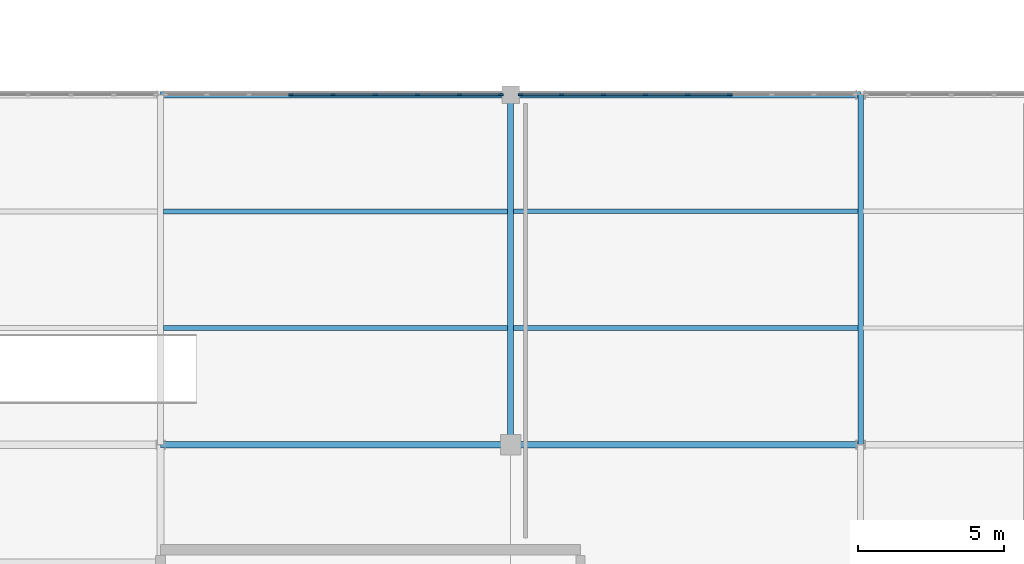
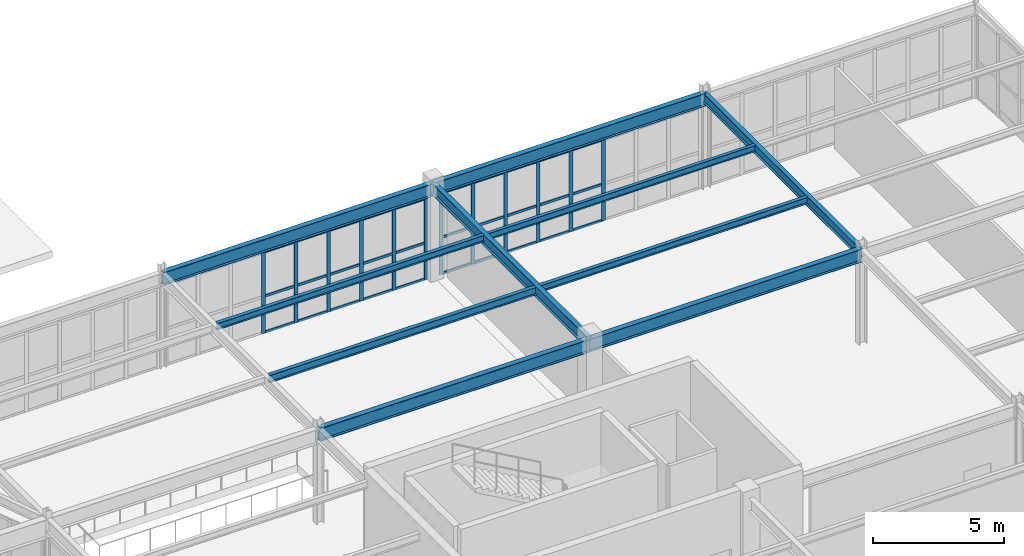
# One storey, part 116 of 226: 42 members, 10 beams, 2 elements without a shape of their own.
"""IFC4 building model written with IfcOpenShell, lengths in metres."""

from ifc_helpers import new_model, si_unit, direction, frame, origin, origin_2d, place, context, subcontext, project, spatial, rectangle, i_section, extrude, material, layer, layer_set, material_profile, profile_set, type_object, element, aggregate, save


model = new_model("IFC4")

# Units and contexts
model_context = context("Model", 3, precision=1e-05, world=origin(), true_north=direction((0.0, 1.0)))
body_context = subcontext(model_context, "Body", "Model", "MODEL_VIEW")
ifc_project = project(units=[si_unit("LENGTHUNIT", "METRE"), si_unit("AREAUNIT", "SQUARE_METRE"), si_unit("VOLUMEUNIT", "CUBIC_METRE"), si_unit("PLANEANGLEUNIT", "RADIAN"), si_unit("MASSUNIT", "GRAM", prefix="KILO")], contexts=[model_context])

# Site, building, storey
site_placement = place(None, origin())
site = spatial("IfcSite", under=ifc_project, at=site_placement, CompositionType="ELEMENT")
building_placement = place(site_placement, origin())
building = spatial("IfcBuilding", under=site, at=building_placement, Name="Tarnwether General Hospital", CompositionType="ELEMENT")
storey_placement = place(building_placement, frame((0.0, 0.0, 4.800048828125)))
storey = spatial("IfcBuildingStorey", under=building, at=storey_placement, Name="L01", CompositionType="ELEMENT", Elevation=4.800048828125)

# Beams
ifc_material_1 = material(Name="Steel Grade 350 (350 MPa)", Category="steel")
ifc_material_profile_1 = material_profile(ifc_material_1, i_section(OverallWidth=0.22900390625, OverallDepth=0.612060546875, WebThickness=0.011962890625, FlangeThickness=0.01953125, at=origin_2d()), Name="610UB125")
ifc_profile_set_1 = profile_set([ifc_material_profile_1], Name="Steel Grade 350 (350 MPa)")
beam_type_1 = type_object("IfcBeamType", Name="BM-G03", PredefinedType="BEAM", material=ifc_profile_set_1)
beam_1_placement = place(storey_placement, frame((156.0, 33.60009765625, 4.138916015625), z_axis=(1.0, 0.0, 0.0), x_axis=(0.0, 1.0, 0.0)))
element("IfcBeam", 1, at=beam_1_placement, inside=storey, type_object=beam_type_1, Name="Primary Girder BMG-L01-15600_3360-16800_3360-1237", PredefinedType="BEAM", context=body_context, shape_type="SweptSolid", body=[
    extrude(i_section(OverallWidth=0.22900390625, OverallDepth=0.612060546875, WebThickness=0.011962890625, FlangeThickness=0.01953125, at=origin_2d()), origin(), (0.0, 0.0, 1.0), 12.0),
])
ifc_material_2 = material(Name="Steel Grade 350 (350 MPa)", Category="steel")
ifc_material_profile_2 = material_profile(ifc_material_2, i_section(OverallWidth=0.22802734375, OverallDepth=0.60693359375, WebThickness=0.01123046875, FlangeThickness=0.017333984375, at=origin_2d()), Name="610UB113")
ifc_profile_set_2 = profile_set([ifc_material_profile_2], Name="Steel Grade 350 (350 MPa)")
beam_type_2 = type_object("IfcBeamType", Name="BM-G04", PredefinedType="BEAM", material=ifc_profile_set_2)
for number, where, z_axis, x_axis, name in (
    (2, (156.0, 45.60009765625, 4.141357421875), (1.0, 0.0, 0.0), (0.0, 1.0, 0.0), "Primary Girder BMG-L01-15600_4560-16800_4560-1239"),
    (3, (168.0, 33.60009765625, 4.141357421875), (1.0, 0.0, 0.0), (0.0, 1.0, 0.0), "Primary Girder BMG-L01-16800_3360-18000_3360-1254"),
):
    element("IfcBeam", number, at=place(storey_placement, frame(where, z_axis=z_axis, x_axis=x_axis)), inside=storey, type_object=beam_type_2, Name=name, PredefinedType="BEAM", context=body_context, shape_type="SweptSolid", body=[
        extrude(i_section(OverallWidth=0.22802734375, OverallDepth=0.60693359375, WebThickness=0.01123046875, FlangeThickness=0.017333984375, at=origin_2d()), origin(), (0.0, 0.0, 1.0), 12.0),
    ])
ifc_material_3 = material(Name="Steel Grade 350 (350 MPa)", Category="steel")
ifc_material_profile_3 = material_profile(ifc_material_3, i_section(OverallWidth=0.22802734375, OverallDepth=0.60205078125, WebThickness=0.010498046875, FlangeThickness=0.014892578125, at=origin_2d()), Name="610UB101")
ifc_profile_set_3 = profile_set([ifc_material_profile_3], Name="Steel Grade 350 (350 MPa)")
beam_type_3 = type_object("IfcBeamType", Name="BM-G05", PredefinedType="BEAM", material=ifc_profile_set_3)
beam_2_placement = place(storey_placement, frame((168.0, 45.60009765625, 4.14404296875), z_axis=(1.0, 0.0, 0.0), x_axis=(0.0, 1.0, 0.0)))
element("IfcBeam", 4, at=beam_2_placement, inside=storey, type_object=beam_type_3, Name="Primary Girder BMG-L01-16800_4560-18000_4560-1256", PredefinedType="BEAM", context=body_context, shape_type="SweptSolid", body=[
    extrude(i_section(OverallWidth=0.22802734375, OverallDepth=0.60205078125, WebThickness=0.010498046875, FlangeThickness=0.014892578125, at=origin_2d()), origin(), (0.0, 0.0, 1.0), 12.0),
])
ifc_material_4 = material(Name="Steel Grade 350 (350 MPa)", Category="steel")
ifc_material_profile_4 = material_profile(ifc_material_4, i_section(OverallWidth=0.208984375, OverallDepth=0.528076171875, WebThickness=0.009521484375, FlangeThickness=0.01318359375, at=origin_2d()), Name="530UB82.0")
ifc_profile_set_4 = profile_set([ifc_material_profile_4], Name="Steel Grade 350 (350 MPa)")
beam_type_4 = type_object("IfcBeamType", Name="BM-G07", PredefinedType="BEAM", material=ifc_profile_set_4)
beam_3_placement = place(storey_placement, frame((168.0, 33.60009765625, 4.180908203125), z_axis=(0.0, 1.0, 0.0), x_axis=(-1.0, 0.0, 0.0)))
element("IfcBeam", 5, at=beam_3_placement, inside=storey, type_object=beam_type_4, Name="Primary Girder BMG-L01-16800_3360-16800_4560-1255", PredefinedType="BEAM", context=body_context, shape_type="SweptSolid", body=[
    extrude(i_section(OverallWidth=0.208984375, OverallDepth=0.528076171875, WebThickness=0.009521484375, FlangeThickness=0.01318359375, at=origin_2d()), origin(), (0.0, 0.0, 1.0), 12.0),
])
ifc_material_5 = material(Name="Steel Grade 350 (350 MPa)", Category="steel")
ifc_material_profile_5 = material_profile(ifc_material_5, i_section(OverallWidth=0.19091796875, OverallDepth=0.4599609375, WebThickness=0.010009765625, FlangeThickness=0.01611328125, at=origin_2d()), Name="460UB82.1")
ifc_profile_set_5 = profile_set([ifc_material_profile_5], Name="Steel Grade 350 (350 MPa)")
beam_type_5 = type_object("IfcBeamType", Name="BM-G08", PredefinedType="BEAM", material=ifc_profile_set_5)
beam_4_placement = place(storey_placement, frame((180.0, 33.60009765625, 4.21484375), z_axis=(0.0, 1.0, 0.0), x_axis=(-1.0, 0.0, 0.0)))
element("IfcBeam", 6, at=beam_4_placement, inside=storey, type_object=beam_type_5, Name="Primary Girder BMG-L01-18000_3360-18000_4560-1272", PredefinedType="BEAM", context=body_context, shape_type="SweptSolid", body=[
    extrude(i_section(OverallWidth=0.19091796875, OverallDepth=0.4599609375, WebThickness=0.010009765625, FlangeThickness=0.01611328125, at=origin_2d()), origin(), (0.0, 0.0, 1.0), 12.0),
])
ifc_material_6 = material(Name="Steel Grade 350 (350 MPa)", Category="steel")
ifc_material_profile_6 = material_profile(ifc_material_6, i_section(OverallWidth=0.1708984375, OverallDepth=0.35205078125, WebThickness=0.0068359375, FlangeThickness=0.009765625, at=origin_2d()), Name="360UB44.7")
ifc_profile_set_6 = profile_set([ifc_material_profile_6], Name="Steel Grade 350 (350 MPa)")
beam_type_6 = type_object("IfcBeamType", Name="BM-J06", PredefinedType="JOIST", material=ifc_profile_set_6)
beam_5_placement = place(storey_placement, frame((156.09912109375, 37.60009765625, 4.26904296875), z_axis=(1.0, 0.0, 0.0), x_axis=(0.0, 1.0, 0.0)))
element("IfcBeam", 7, at=beam_5_placement, inside=storey, type_object=beam_type_6, Name="Composite Floor Joist BMG-L01-15610_3760-16790_3760-1405", PredefinedType="JOIST", context=body_context, shape_type="SweptSolid", body=[
    extrude(i_section(OverallWidth=0.1708984375, OverallDepth=0.35205078125, WebThickness=0.0068359375, FlangeThickness=0.009765625, at=origin_2d()), origin(), (0.0, 0.0, 1.0), 11.8017578125),
])
ifc_material_7 = material(Name="Steel Grade 350 (350 MPa)", Category="steel")
ifc_material_profile_7 = material_profile(ifc_material_7, i_section(OverallWidth=0.1650390625, OverallDepth=0.303955078125, WebThickness=0.006103515625, FlangeThickness=0.01025390625, at=origin_2d()), Name="310UB40.4")
ifc_profile_set_7 = profile_set([ifc_material_profile_7], Name="Steel Grade 350 (350 MPa)")
beam_type_7 = type_object("IfcBeamType", Name="BM-J07", PredefinedType="JOIST", material=ifc_profile_set_7)
beam_6_placement = place(storey_placement, frame((156.09912109375, 41.60009765625, 4.29296875), z_axis=(1.0, 0.0, 0.0), x_axis=(0.0, 1.0, 0.0)))
element("IfcBeam", 8, at=beam_6_placement, inside=storey, type_object=beam_type_7, Name="Composite Floor Joist BMG-L01-15610_4160-16790_4160-1406", PredefinedType="JOIST", context=body_context, shape_type="SweptSolid", body=[
    extrude(i_section(OverallWidth=0.1650390625, OverallDepth=0.303955078125, WebThickness=0.006103515625, FlangeThickness=0.01025390625, at=origin_2d()), origin(), (0.0, 0.0, 1.0), 11.8017578125),
])
beam_7_placement = place(storey_placement, frame((168.09912109375, 37.60009765625, 4.29296875), z_axis=(1.0, 0.0, 0.0), x_axis=(0.0, 1.0, 0.0)))
element("IfcBeam", 9, at=beam_7_placement, inside=storey, type_object=beam_type_7, Name="Composite Floor Joist BMG-L01-16810_3760-17991_3760-1417", PredefinedType="JOIST", context=body_context, shape_type="SweptSolid", body=[
    extrude(i_section(OverallWidth=0.1650390625, OverallDepth=0.303955078125, WebThickness=0.006103515625, FlangeThickness=0.01025390625, at=origin_2d()), origin(), (0.0, 0.0, 1.0), 11.811767578125),
])
ifc_material_8 = material(Name="Steel Grade 350 (350 MPa)", Category="steel")
ifc_material_profile_8 = material_profile(ifc_material_8, i_section(OverallWidth=0.14892578125, OverallDepth=0.298095703125, WebThickness=0.005615234375, FlangeThickness=0.008056640625, at=origin_2d()), Name="310UB32.0")
ifc_profile_set_8 = profile_set([ifc_material_profile_8], Name="Steel Grade 350 (350 MPa)")
beam_type_8 = type_object("IfcBeamType", Name="BM-J08", PredefinedType="JOIST", material=ifc_profile_set_8)
beam_8_placement = place(storey_placement, frame((168.09912109375, 41.60009765625, 4.2958984375), z_axis=(1.0, 0.0, 0.0), x_axis=(0.0, 1.0, 0.0)))
element("IfcBeam", 10, at=beam_8_placement, inside=storey, type_object=beam_type_8, Name="Composite Floor Joist BMG-L01-16810_4160-17991_4160-1418", PredefinedType="JOIST", context=body_context, shape_type="SweptSolid", body=[
    extrude(i_section(OverallWidth=0.14892578125, OverallDepth=0.298095703125, WebThickness=0.005615234375, FlangeThickness=0.008056640625, at=origin_2d()), origin(), (0.0, 0.0, 1.0), 11.811767578125),
])

# Curtain wall, members
ifc_material_9 = material(Name="Anodised aluminium", Category="aluminium")
ifc_layer = layer(ifc_material_9, 0.159912109375)
ifc_layer_set = layer_set([ifc_layer], Name="Anodised aluminium")
curtain_wall_type = type_object("IfcCurtainWallType", Name="CW-18", PredefinedType="NOTDEFINED", material=ifc_layer_set)
curtain_wall_1_placement = place(storey_placement, origin())
curtain_wall_1 = element("IfcCurtainWall", 11, at=curtain_wall_1_placement, inside=storey, type_object=curtain_wall_type, Name="Curtain Wall CWG-L01-1561_456-0380", PredefinedType="NOTDEFINED")
ifc_material_10 = material(Name="Anodised aluminium", Category="aluminium")
ifc_material_profile_9 = material_profile(ifc_material_10, rectangle(XDim=0.06005859375, YDim=0.159912109375, at=origin_2d()), Name="ALU-MUL-60x160")
ifc_profile_set_9 = profile_set([ifc_material_profile_9], Name="Anodised aluminium")
member_type_1 = type_object("IfcMemberType", Name="CW-ML1", PredefinedType="MULLION", material=ifc_profile_set_9)
member_1_placement = place(storey_placement, frame((160.470703125, 45.60009765625, 0.0), z_axis=(0.0, 0.0, 1.0), x_axis=(0.0, 1.0, 0.0)))
member_1 = element("IfcMember", 12, at=member_1_placement, type_object=member_type_1, Name="CW-18 mullion 4", PredefinedType="MULLION", context=body_context, shape_type="SweptSolid", body=[
    extrude(rectangle(XDim=0.06005859375, YDim=0.159912109375, at=origin_2d()), origin(), (0.0, 0.0, 1.0), 3.81787109375),
])
member_2_placement = place(storey_placement, frame((161.9150390625, 45.60009765625, 0.0), z_axis=(0.0, 0.0, 1.0), x_axis=(0.0, 1.0, 0.0)))
member_2 = element("IfcMember", 13, at=member_2_placement, type_object=member_type_1, Name="CW-18 mullion 5", PredefinedType="MULLION", context=body_context, shape_type="SweptSolid", body=[
    extrude(rectangle(XDim=0.06005859375, YDim=0.159912109375, at=origin_2d()), origin(), (0.0, 0.0, 1.0), 3.81787109375),
])
member_3_placement = place(storey_placement, frame((163.359130859375, 45.60009765625, 0.0), z_axis=(0.0, 0.0, 1.0), x_axis=(0.0, 1.0, 0.0)))
member_3 = element("IfcMember", 14, at=member_3_placement, type_object=member_type_1, Name="CW-18 mullion 6", PredefinedType="MULLION", context=body_context, shape_type="SweptSolid", body=[
    extrude(rectangle(XDim=0.06005859375, YDim=0.159912109375, at=origin_2d()), origin(), (0.0, 0.0, 1.0), 3.81787109375),
])
member_4_placement = place(storey_placement, frame((164.803466796875, 45.60009765625, 0.0), z_axis=(0.0, 0.0, 1.0), x_axis=(0.0, 1.0, 0.0)))
member_4 = element("IfcMember", 15, at=member_4_placement, type_object=member_type_1, Name="CW-18 mullion 7", PredefinedType="MULLION", context=body_context, shape_type="SweptSolid", body=[
    extrude(rectangle(XDim=0.06005859375, YDim=0.159912109375, at=origin_2d()), origin(), (0.0, 0.0, 1.0), 3.81787109375),
])
member_5_placement = place(storey_placement, frame((166.247802734375, 45.60009765625, 0.0), z_axis=(0.0, 0.0, 1.0), x_axis=(0.0, 1.0, 0.0)))
member_5 = element("IfcMember", 16, at=member_5_placement, type_object=member_type_1, Name="CW-18 mullion 8", PredefinedType="MULLION", context=body_context, shape_type="SweptSolid", body=[
    extrude(rectangle(XDim=0.06005859375, YDim=0.159912109375, at=origin_2d()), origin(), (0.0, 0.0, 1.0), 3.81787109375),
])
member_6_placement = place(storey_placement, frame((167.662109375, 45.60009765625, 0.0), z_axis=(0.0, 0.0, 1.0), x_axis=(0.0, 1.0, 0.0)))
member_6 = element("IfcMember", 17, at=member_6_placement, type_object=member_type_1, Name="CW-18 mullion 9", PredefinedType="MULLION", context=body_context, shape_type="SweptSolid", body=[
    extrude(rectangle(XDim=0.06005859375, YDim=0.159912109375, at=origin_2d()), origin(), (0.0, 0.0, 1.0), 3.81787109375),
])

curtain_wall_2_placement = place(storey_placement, origin())
curtain_wall_2 = element("IfcCurtainWall", 18, at=curtain_wall_2_placement, inside=storey, type_object=curtain_wall_type, Name="Curtain Wall CWG-L01-1683_456-0381", PredefinedType="NOTDEFINED")
member_7_placement = place(storey_placement, frame((168.337890625, 45.60009765625, 0.0), z_axis=(0.0, 0.0, 1.0), x_axis=(0.0, 1.0, 0.0)))
member_7 = element("IfcMember", 19, at=member_7_placement, type_object=member_type_1, Name="CW-18 mullion 1", PredefinedType="MULLION", context=body_context, shape_type="SweptSolid", body=[
    extrude(rectangle(XDim=0.06005859375, YDim=0.159912109375, at=origin_2d()), origin(), (0.0, 0.0, 1.0), 3.822998046875),
])
member_8_placement = place(storey_placement, frame((169.74853515625, 45.60009765625, 0.0), z_axis=(0.0, 0.0, 1.0), x_axis=(0.0, 1.0, 0.0)))
member_8 = element("IfcMember", 20, at=member_8_placement, type_object=member_type_1, Name="CW-18 mullion 2", PredefinedType="MULLION", context=body_context, shape_type="SweptSolid", body=[
    extrude(rectangle(XDim=0.06005859375, YDim=0.159912109375, at=origin_2d()), origin(), (0.0, 0.0, 1.0), 3.822998046875),
])
member_9_placement = place(storey_placement, frame((171.18896484375, 45.60009765625, 0.0), z_axis=(0.0, 0.0, 1.0), x_axis=(0.0, 1.0, 0.0)))
member_9 = element("IfcMember", 21, at=member_9_placement, type_object=member_type_1, Name="CW-18 mullion 3", PredefinedType="MULLION", context=body_context, shape_type="SweptSolid", body=[
    extrude(rectangle(XDim=0.06005859375, YDim=0.159912109375, at=origin_2d()), origin(), (0.0, 0.0, 1.0), 3.822998046875),
])
member_10_placement = place(storey_placement, frame((172.62939453125, 45.60009765625, 0.0), z_axis=(0.0, 0.0, 1.0), x_axis=(0.0, 1.0, 0.0)))
member_10 = element("IfcMember", 22, at=member_10_placement, type_object=member_type_1, Name="CW-18 mullion 4", PredefinedType="MULLION", context=body_context, shape_type="SweptSolid", body=[
    extrude(rectangle(XDim=0.06005859375, YDim=0.159912109375, at=origin_2d()), origin(), (0.0, 0.0, 1.0), 3.822998046875),
])
member_11_placement = place(storey_placement, frame((174.070068359375, 45.60009765625, 0.0), z_axis=(0.0, 0.0, 1.0), x_axis=(0.0, 1.0, 0.0)))
member_11 = element("IfcMember", 23, at=member_11_placement, type_object=member_type_1, Name="CW-18 mullion 5", PredefinedType="MULLION", context=body_context, shape_type="SweptSolid", body=[
    extrude(rectangle(XDim=0.06005859375, YDim=0.159912109375, at=origin_2d()), origin(), (0.0, 0.0, 1.0), 3.822998046875),
])
member_12_placement = place(storey_placement, frame((175.510498046875, 45.60009765625, 0.0), z_axis=(0.0, 0.0, 1.0), x_axis=(0.0, 1.0, 0.0)))
member_12 = element("IfcMember", 24, at=member_12_placement, type_object=member_type_1, Name="CW-18 mullion 6", PredefinedType="MULLION", context=body_context, shape_type="SweptSolid", body=[
    extrude(rectangle(XDim=0.06005859375, YDim=0.159912109375, at=origin_2d()), origin(), (0.0, 0.0, 1.0), 3.822998046875),
])

# Member
ifc_material_11 = material(Name="Anodised aluminium", Category="aluminium")
ifc_material_profile_10 = material_profile(ifc_material_11, rectangle(XDim=0.06005859375, YDim=0.1201171875, at=origin_2d()), Name="ALU-TRN-60x120")
ifc_profile_set_10 = profile_set([ifc_material_profile_10], Name="Anodised aluminium")
member_type_2 = type_object("IfcMemberType", Name="CW-TR1", PredefinedType="USERDEFINED", material=ifc_profile_set_10)
member_13_placement = place(storey_placement, frame((160.500732421875, 45.60009765625, 0.030029296875), z_axis=(1.0, 0.0, 0.0), x_axis=(0.0, 1.0, 0.0)))
member_13 = element("IfcMember", 25, at=member_13_placement, type_object=member_type_2, Name="CW-18 transom 4.1", ObjectType="TRANSOM", PredefinedType="USERDEFINED", context=body_context, shape_type="SweptSolid", body=[
    extrude(rectangle(XDim=0.06005859375, YDim=0.1201171875, at=origin_2d()), origin(), (0.0, 0.0, 1.0), 1.38427734375),
])

member_14_placement = place(storey_placement, frame((160.500732421875, 45.60009765625, 1.718017578125), z_axis=(1.0, 0.0, 0.0), x_axis=(0.0, 1.0, 0.0)))
member_14 = element("IfcMember", 26, at=member_14_placement, type_object=member_type_2, Name="CW-18 transom 4.2", ObjectType="TRANSOM", PredefinedType="USERDEFINED", context=body_context, shape_type="SweptSolid", body=[
    extrude(rectangle(XDim=0.06005859375, YDim=0.1201171875, at=origin_2d()), origin(), (0.0, 0.0, 1.0), 1.38427734375),
])

member_15_placement = place(storey_placement, frame((160.500732421875, 45.60009765625, 3.787841796875), z_axis=(1.0, 0.0, 0.0), x_axis=(0.0, 1.0, 0.0)))
member_15 = element("IfcMember", 27, at=member_15_placement, type_object=member_type_2, Name="CW-18 transom 4.3", ObjectType="TRANSOM", PredefinedType="USERDEFINED", context=body_context, shape_type="SweptSolid", body=[
    extrude(rectangle(XDim=0.06005859375, YDim=0.1201171875, at=origin_2d()), origin(), (0.0, 0.0, 1.0), 1.38427734375),
])

member_16_placement = place(storey_placement, frame((161.945068359375, 45.60009765625, 0.030029296875), z_axis=(1.0, 0.0, 0.0), x_axis=(0.0, 1.0, 0.0)))
member_16 = element("IfcMember", 28, at=member_16_placement, type_object=member_type_2, Name="CW-18 transom 5.1", ObjectType="TRANSOM", PredefinedType="USERDEFINED", context=body_context, shape_type="SweptSolid", body=[
    extrude(rectangle(XDim=0.06005859375, YDim=0.1201171875, at=origin_2d()), origin(), (0.0, 0.0, 1.0), 1.38427734375),
])

member_17_placement = place(storey_placement, frame((161.945068359375, 45.60009765625, 1.718017578125), z_axis=(1.0, 0.0, 0.0), x_axis=(0.0, 1.0, 0.0)))
member_17 = element("IfcMember", 29, at=member_17_placement, type_object=member_type_2, Name="CW-18 transom 5.2", ObjectType="TRANSOM", PredefinedType="USERDEFINED", context=body_context, shape_type="SweptSolid", body=[
    extrude(rectangle(XDim=0.06005859375, YDim=0.1201171875, at=origin_2d()), origin(), (0.0, 0.0, 1.0), 1.38427734375),
])

member_18_placement = place(storey_placement, frame((161.945068359375, 45.60009765625, 3.787841796875), z_axis=(1.0, 0.0, 0.0), x_axis=(0.0, 1.0, 0.0)))
member_18 = element("IfcMember", 30, at=member_18_placement, type_object=member_type_2, Name="CW-18 transom 5.3", ObjectType="TRANSOM", PredefinedType="USERDEFINED", context=body_context, shape_type="SweptSolid", body=[
    extrude(rectangle(XDim=0.06005859375, YDim=0.1201171875, at=origin_2d()), origin(), (0.0, 0.0, 1.0), 1.38427734375),
])

member_19_placement = place(storey_placement, frame((163.38916015625, 45.60009765625, 0.030029296875), z_axis=(1.0, 0.0, 0.0), x_axis=(0.0, 1.0, 0.0)))
member_19 = element("IfcMember", 31, at=member_19_placement, type_object=member_type_2, Name="CW-18 transom 6.1", ObjectType="TRANSOM", PredefinedType="USERDEFINED", context=body_context, shape_type="SweptSolid", body=[
    extrude(rectangle(XDim=0.06005859375, YDim=0.1201171875, at=origin_2d()), origin(), (0.0, 0.0, 1.0), 1.38427734375),
])

member_20_placement = place(storey_placement, frame((163.38916015625, 45.60009765625, 1.718017578125), z_axis=(1.0, 0.0, 0.0), x_axis=(0.0, 1.0, 0.0)))
member_20 = element("IfcMember", 32, at=member_20_placement, type_object=member_type_2, Name="CW-18 transom 6.2", ObjectType="TRANSOM", PredefinedType="USERDEFINED", context=body_context, shape_type="SweptSolid", body=[
    extrude(rectangle(XDim=0.06005859375, YDim=0.1201171875, at=origin_2d()), origin(), (0.0, 0.0, 1.0), 1.38427734375),
])

member_21_placement = place(storey_placement, frame((163.38916015625, 45.60009765625, 3.787841796875), z_axis=(1.0, 0.0, 0.0), x_axis=(0.0, 1.0, 0.0)))
member_21 = element("IfcMember", 33, at=member_21_placement, type_object=member_type_2, Name="CW-18 transom 6.3", ObjectType="TRANSOM", PredefinedType="USERDEFINED", context=body_context, shape_type="SweptSolid", body=[
    extrude(rectangle(XDim=0.06005859375, YDim=0.1201171875, at=origin_2d()), origin(), (0.0, 0.0, 1.0), 1.38427734375),
])

member_22_placement = place(storey_placement, frame((164.83349609375, 45.60009765625, 0.030029296875), z_axis=(1.0, 0.0, 0.0), x_axis=(0.0, 1.0, 0.0)))
member_22 = element("IfcMember", 34, at=member_22_placement, type_object=member_type_2, Name="CW-18 transom 7.1", ObjectType="TRANSOM", PredefinedType="USERDEFINED", context=body_context, shape_type="SweptSolid", body=[
    extrude(rectangle(XDim=0.06005859375, YDim=0.1201171875, at=origin_2d()), origin(), (0.0, 0.0, 1.0), 1.38427734375),
])

member_23_placement = place(storey_placement, frame((164.83349609375, 45.60009765625, 1.718017578125), z_axis=(1.0, 0.0, 0.0), x_axis=(0.0, 1.0, 0.0)))
member_23 = element("IfcMember", 35, at=member_23_placement, type_object=member_type_2, Name="CW-18 transom 7.2", ObjectType="TRANSOM", PredefinedType="USERDEFINED", context=body_context, shape_type="SweptSolid", body=[
    extrude(rectangle(XDim=0.06005859375, YDim=0.1201171875, at=origin_2d()), origin(), (0.0, 0.0, 1.0), 1.38427734375),
])

member_24_placement = place(storey_placement, frame((164.83349609375, 45.60009765625, 3.787841796875), z_axis=(1.0, 0.0, 0.0), x_axis=(0.0, 1.0, 0.0)))
member_24 = element("IfcMember", 36, at=member_24_placement, type_object=member_type_2, Name="CW-18 transom 7.3", ObjectType="TRANSOM", PredefinedType="USERDEFINED", context=body_context, shape_type="SweptSolid", body=[
    extrude(rectangle(XDim=0.06005859375, YDim=0.1201171875, at=origin_2d()), origin(), (0.0, 0.0, 1.0), 1.38427734375),
])

member_25_placement = place(storey_placement, frame((166.27783203125, 45.60009765625, 0.030029296875), z_axis=(1.0, 0.0, 0.0), x_axis=(0.0, 1.0, 0.0)))
member_25 = element("IfcMember", 37, at=member_25_placement, type_object=member_type_2, Name="CW-18 transom 8.1", ObjectType="TRANSOM", PredefinedType="USERDEFINED", context=body_context, shape_type="SweptSolid", body=[
    extrude(rectangle(XDim=0.06005859375, YDim=0.1201171875, at=origin_2d()), origin(), (0.0, 0.0, 1.0), 1.354248046875),
])

member_26_placement = place(storey_placement, frame((166.27783203125, 45.60009765625, 1.718017578125), z_axis=(1.0, 0.0, 0.0), x_axis=(0.0, 1.0, 0.0)))
member_26 = element("IfcMember", 38, at=member_26_placement, type_object=member_type_2, Name="CW-18 transom 8.2", ObjectType="TRANSOM", PredefinedType="USERDEFINED", context=body_context, shape_type="SweptSolid", body=[
    extrude(rectangle(XDim=0.06005859375, YDim=0.1201171875, at=origin_2d()), origin(), (0.0, 0.0, 1.0), 1.354248046875),
])

member_27_placement = place(storey_placement, frame((166.27783203125, 45.60009765625, 3.787841796875), z_axis=(1.0, 0.0, 0.0), x_axis=(0.0, 1.0, 0.0)))
member_27 = element("IfcMember", 39, at=member_27_placement, type_object=member_type_2, Name="CW-18 transom 8.3", ObjectType="TRANSOM", PredefinedType="USERDEFINED", context=body_context, shape_type="SweptSolid", body=[
    extrude(rectangle(XDim=0.06005859375, YDim=0.1201171875, at=origin_2d()), origin(), (0.0, 0.0, 1.0), 1.354248046875),
])

aggregate(curtain_wall_1, [member_1, member_2, member_3, member_4, member_5, member_6, member_13, member_14, member_15, member_16, member_17, member_18, member_19, member_20, member_21, member_22, member_23, member_24, member_25, member_26, member_27])

member_28_placement = place(storey_placement, frame((168.367919921875, 45.60009765625, 0.030029296875), z_axis=(1.0, 0.0, 0.0), x_axis=(0.0, 1.0, 0.0)))
member_28 = element("IfcMember", 40, at=member_28_placement, type_object=member_type_2, Name="CW-18 transom 1.1", ObjectType="TRANSOM", PredefinedType="USERDEFINED", context=body_context, shape_type="SweptSolid", body=[
    extrude(rectangle(XDim=0.06005859375, YDim=0.1201171875, at=origin_2d()), origin(), (0.0, 0.0, 1.0), 1.3505859375),
])

member_29_placement = place(storey_placement, frame((168.367919921875, 45.60009765625, 1.72021484375), z_axis=(1.0, 0.0, 0.0), x_axis=(0.0, 1.0, 0.0)))
member_29 = element("IfcMember", 41, at=member_29_placement, type_object=member_type_2, Name="CW-18 transom 1.2", ObjectType="TRANSOM", PredefinedType="USERDEFINED", context=body_context, shape_type="SweptSolid", body=[
    extrude(rectangle(XDim=0.06005859375, YDim=0.1201171875, at=origin_2d()), origin(), (0.0, 0.0, 1.0), 1.3505859375),
])

member_30_placement = place(storey_placement, frame((168.367919921875, 45.60009765625, 3.79296875), z_axis=(1.0, 0.0, 0.0), x_axis=(0.0, 1.0, 0.0)))
member_30 = element("IfcMember", 42, at=member_30_placement, type_object=member_type_2, Name="CW-18 transom 1.3", ObjectType="TRANSOM", PredefinedType="USERDEFINED", context=body_context, shape_type="SweptSolid", body=[
    extrude(rectangle(XDim=0.06005859375, YDim=0.1201171875, at=origin_2d()), origin(), (0.0, 0.0, 1.0), 1.3505859375),
])

member_31_placement = place(storey_placement, frame((169.778564453125, 45.60009765625, 0.030029296875), z_axis=(1.0, 0.0, 0.0), x_axis=(0.0, 1.0, 0.0)))
member_31 = element("IfcMember", 43, at=member_31_placement, type_object=member_type_2, Name="CW-18 transom 2.1", ObjectType="TRANSOM", PredefinedType="USERDEFINED", context=body_context, shape_type="SweptSolid", body=[
    extrude(rectangle(XDim=0.06005859375, YDim=0.1201171875, at=origin_2d()), origin(), (0.0, 0.0, 1.0), 1.38037109375),
])

member_32_placement = place(storey_placement, frame((169.778564453125, 45.60009765625, 1.72021484375), z_axis=(1.0, 0.0, 0.0), x_axis=(0.0, 1.0, 0.0)))
member_32 = element("IfcMember", 44, at=member_32_placement, type_object=member_type_2, Name="CW-18 transom 2.2", ObjectType="TRANSOM", PredefinedType="USERDEFINED", context=body_context, shape_type="SweptSolid", body=[
    extrude(rectangle(XDim=0.06005859375, YDim=0.1201171875, at=origin_2d()), origin(), (0.0, 0.0, 1.0), 1.38037109375),
])

member_33_placement = place(storey_placement, frame((169.778564453125, 45.60009765625, 3.79296875), z_axis=(1.0, 0.0, 0.0), x_axis=(0.0, 1.0, 0.0)))
member_33 = element("IfcMember", 45, at=member_33_placement, type_object=member_type_2, Name="CW-18 transom 2.3", ObjectType="TRANSOM", PredefinedType="USERDEFINED", context=body_context, shape_type="SweptSolid", body=[
    extrude(rectangle(XDim=0.06005859375, YDim=0.1201171875, at=origin_2d()), origin(), (0.0, 0.0, 1.0), 1.38037109375),
])

member_34_placement = place(storey_placement, frame((171.218994140625, 45.60009765625, 0.030029296875), z_axis=(1.0, 0.0, 0.0), x_axis=(0.0, 1.0, 0.0)))
member_34 = element("IfcMember", 46, at=member_34_placement, type_object=member_type_2, Name="CW-18 transom 3.1", ObjectType="TRANSOM", PredefinedType="USERDEFINED", context=body_context, shape_type="SweptSolid", body=[
    extrude(rectangle(XDim=0.06005859375, YDim=0.1201171875, at=origin_2d()), origin(), (0.0, 0.0, 1.0), 1.380615234375),
])

member_35_placement = place(storey_placement, frame((171.218994140625, 45.60009765625, 1.72021484375), z_axis=(1.0, 0.0, 0.0), x_axis=(0.0, 1.0, 0.0)))
member_35 = element("IfcMember", 47, at=member_35_placement, type_object=member_type_2, Name="CW-18 transom 3.2", ObjectType="TRANSOM", PredefinedType="USERDEFINED", context=body_context, shape_type="SweptSolid", body=[
    extrude(rectangle(XDim=0.06005859375, YDim=0.1201171875, at=origin_2d()), origin(), (0.0, 0.0, 1.0), 1.380615234375),
])

member_36_placement = place(storey_placement, frame((171.218994140625, 45.60009765625, 3.79296875), z_axis=(1.0, 0.0, 0.0), x_axis=(0.0, 1.0, 0.0)))
member_36 = element("IfcMember", 48, at=member_36_placement, type_object=member_type_2, Name="CW-18 transom 3.3", ObjectType="TRANSOM", PredefinedType="USERDEFINED", context=body_context, shape_type="SweptSolid", body=[
    extrude(rectangle(XDim=0.06005859375, YDim=0.1201171875, at=origin_2d()), origin(), (0.0, 0.0, 1.0), 1.380615234375),
])

member_37_placement = place(storey_placement, frame((172.659423828125, 45.60009765625, 0.030029296875), z_axis=(1.0, 0.0, 0.0), x_axis=(0.0, 1.0, 0.0)))
member_37 = element("IfcMember", 49, at=member_37_placement, type_object=member_type_2, Name="CW-18 transom 4.1", ObjectType="TRANSOM", PredefinedType="USERDEFINED", context=body_context, shape_type="SweptSolid", body=[
    extrude(rectangle(XDim=0.06005859375, YDim=0.1201171875, at=origin_2d()), origin(), (0.0, 0.0, 1.0), 1.380615234375),
])

member_38_placement = place(storey_placement, frame((172.659423828125, 45.60009765625, 1.72021484375), z_axis=(1.0, 0.0, 0.0), x_axis=(0.0, 1.0, 0.0)))
member_38 = element("IfcMember", 50, at=member_38_placement, type_object=member_type_2, Name="CW-18 transom 4.2", ObjectType="TRANSOM", PredefinedType="USERDEFINED", context=body_context, shape_type="SweptSolid", body=[
    extrude(rectangle(XDim=0.06005859375, YDim=0.1201171875, at=origin_2d()), origin(), (0.0, 0.0, 1.0), 1.380615234375),
])

member_39_placement = place(storey_placement, frame((172.659423828125, 45.60009765625, 3.79296875), z_axis=(1.0, 0.0, 0.0), x_axis=(0.0, 1.0, 0.0)))
member_39 = element("IfcMember", 51, at=member_39_placement, type_object=member_type_2, Name="CW-18 transom 4.3", ObjectType="TRANSOM", PredefinedType="USERDEFINED", context=body_context, shape_type="SweptSolid", body=[
    extrude(rectangle(XDim=0.06005859375, YDim=0.1201171875, at=origin_2d()), origin(), (0.0, 0.0, 1.0), 1.380615234375),
])

member_40_placement = place(storey_placement, frame((174.10009765625, 45.60009765625, 0.030029296875), z_axis=(1.0, 0.0, 0.0), x_axis=(0.0, 1.0, 0.0)))
member_40 = element("IfcMember", 52, at=member_40_placement, type_object=member_type_2, Name="CW-18 transom 5.1", ObjectType="TRANSOM", PredefinedType="USERDEFINED", context=body_context, shape_type="SweptSolid", body=[
    extrude(rectangle(XDim=0.06005859375, YDim=0.1201171875, at=origin_2d()), origin(), (0.0, 0.0, 1.0), 1.38037109375),
])

member_41_placement = place(storey_placement, frame((174.10009765625, 45.60009765625, 1.72021484375), z_axis=(1.0, 0.0, 0.0), x_axis=(0.0, 1.0, 0.0)))
member_41 = element("IfcMember", 53, at=member_41_placement, type_object=member_type_2, Name="CW-18 transom 5.2", ObjectType="TRANSOM", PredefinedType="USERDEFINED", context=body_context, shape_type="SweptSolid", body=[
    extrude(rectangle(XDim=0.06005859375, YDim=0.1201171875, at=origin_2d()), origin(), (0.0, 0.0, 1.0), 1.38037109375),
])

member_42_placement = place(storey_placement, frame((174.10009765625, 45.60009765625, 3.79296875), z_axis=(1.0, 0.0, 0.0), x_axis=(0.0, 1.0, 0.0)))
member_42 = element("IfcMember", 54, at=member_42_placement, type_object=member_type_2, Name="CW-18 transom 5.3", ObjectType="TRANSOM", PredefinedType="USERDEFINED", context=body_context, shape_type="SweptSolid", body=[
    extrude(rectangle(XDim=0.06005859375, YDim=0.1201171875, at=origin_2d()), origin(), (0.0, 0.0, 1.0), 1.38037109375),
])

aggregate(curtain_wall_2, [member_7, member_8, member_9, member_10, member_11, member_12, member_28, member_29, member_30, member_31, member_32, member_33, member_34, member_35, member_36, member_37, member_38, member_39, member_40, member_41, member_42])

save(model, "model.ifc")
